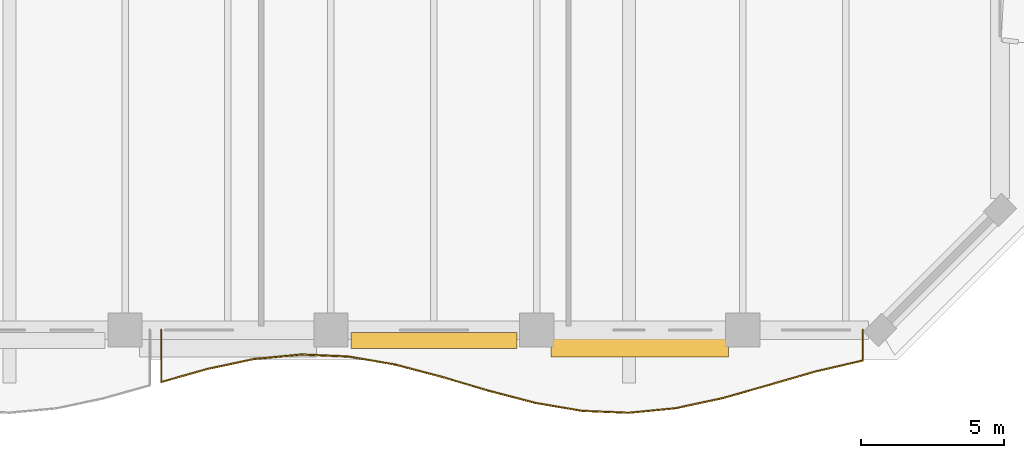
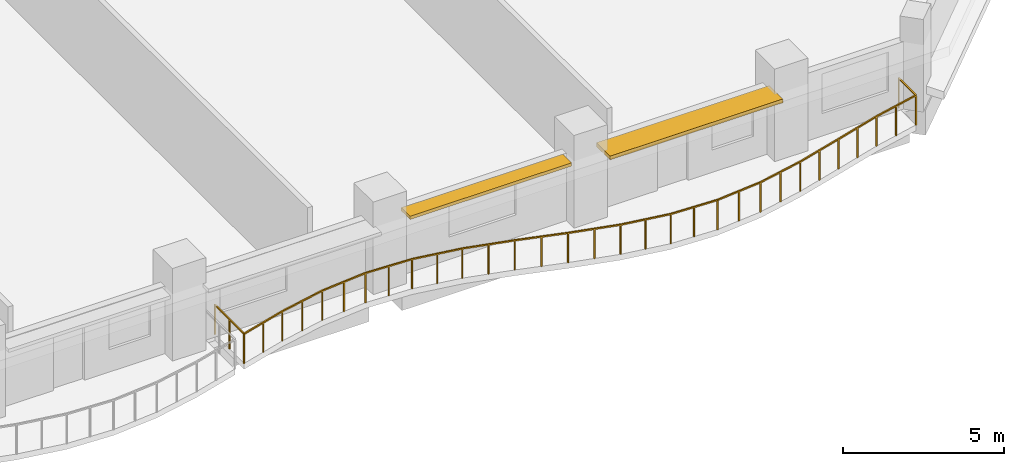
# One storey, part 14 of 15: 2 shading devices, 1 railing.
"""IFC4 building model written with IfcOpenShell, lengths in metres."""

from ifc_helpers import new_model, si_unit, direction, frame, origin, origin_2d, place, context, subcontext, project, spatial, rectangle, extrude, material, layer, layer_set, type_object, element, save


model = new_model("IFC4")

# Units and contexts
model_context = context("Model", 3, precision=1e-05, world=origin(), true_north=direction((0.0, 1.0)))
body_context = subcontext(model_context, "Body", "Model", "MODEL_VIEW")
ifc_project = project(units=[si_unit("LENGTHUNIT", "METRE"), si_unit("AREAUNIT", "SQUARE_METRE"), si_unit("VOLUMEUNIT", "CUBIC_METRE"), si_unit("PLANEANGLEUNIT", "RADIAN"), si_unit("MASSUNIT", "GRAM", prefix="KILO")], contexts=[model_context])

# Site, building, storey
site_placement = place(None, origin())
site = spatial("IfcSite", under=ifc_project, at=site_placement, CompositionType="ELEMENT")
building_placement = place(site_placement, origin())
building = spatial("IfcBuilding", under=site, at=building_placement, Name="Kaelvorn Grand Hotel", CompositionType="ELEMENT")
storey_placement = place(building_placement, frame((0.0, 0.0, 104.300048828125)))
storey = spatial("IfcBuildingStorey", under=building, at=storey_placement, Name="L24", CompositionType="ELEMENT", Elevation=104.300048828125)

# Railing
ifc_material_1 = material(Name="Stainless Steel", Category="steel")
railing_type = type_object("IfcRailingType", Name="RL-BALC-1150", PredefinedType="BALUSTRADE", material=ifc_material_1)
railing_placement = place(storey_placement, frame((54.666748046875, 0.0, 0.0)))
element("IfcRailing", 1, at=railing_placement, inside=storey, type_object=railing_type, Name="L24 Scalloped Wave Balcony Balustrade GR1-3", PredefinedType="BALUSTRADE", context=body_context, shape_type="SweptSolid", body=[
    extrude(rectangle(XDim=0.048095703125, YDim=0.048095703125, at=origin_2d()), frame((0.0, 0.0, 1.1259765625), z_axis=(0.0, -1.0, 0.0), x_axis=(1.0, 0.0, 0.0)), (0.0, 0.0, 1.0), 1.8193359375),
    extrude(rectangle(XDim=0.048095703125, YDim=0.048095703125, at=origin_2d()), frame((0.0, -1.8193359375, 1.1259765625), z_axis=(0.962241545122, 0.272197003733, 0.0), x_axis=(-0.272197003733, 0.962241545122, 0.0)), (0.0, 0.0, 1.0), 1.69970703125),
    extrude(rectangle(XDim=0.048095703125, YDim=0.048095703125, at=origin_2d()), frame((1.635498046875, -1.356689453125, 1.1259765625), z_axis=(0.978174805455, 0.207783661466, 0.0), x_axis=(-0.207783661466, 0.978174805455, 0.0)), (0.0, 0.0, 1.0), 1.671875),
    extrude(rectangle(XDim=0.048095703125, YDim=0.048095703125, at=origin_2d()), frame((3.27099609375, -1.00927734375, 1.1259765625), z_axis=(0.995523480824, 0.09451454453, 0.0), x_axis=(-0.09451454453, 0.995523480824, 0.0)), (0.0, 0.0, 1.0), 1.642822265625),
    extrude(rectangle(XDim=0.048095703125, YDim=0.048095703125, at=origin_2d()), frame((4.906494140625, -0.85400390625, 1.1259765625), z_axis=(0.999045154146, -0.043689586592, 0.0), x_axis=(0.043689586592, 0.999045154146, 0.0)), (0.0, 0.0, 1.0), 1.63720703125),
    extrude(rectangle(XDim=0.048095703125, YDim=0.048095703125, at=origin_2d()), frame((6.542236328125, -0.925537109375, 1.1259765625), z_axis=(0.985410815118, -0.170192612792, 0.0), x_axis=(0.170192612792, 0.985410815118, 0.0)), (0.0, 0.0, 1.0), 1.65966796875),
    extrude(rectangle(XDim=0.048095703125, YDim=0.048095703125, at=origin_2d()), frame((8.177734375, -1.2080078125, 1.1259765625), z_axis=(0.967035258154, -0.254642513119, 0.0), x_axis=(0.254642513119, 0.967035258154, 0.0)), (0.0, 0.0, 1.0), 1.691162109375),
    extrude(rectangle(XDim=0.048095703125, YDim=0.048095703125, at=origin_2d()), frame((9.813232421875, -1.638671875, 1.1259765625), z_axis=(0.959066322629, -0.283181547419, 0.0), x_axis=(0.283181547419, 0.959066322629, 0.0)), (0.0, 0.0, 1.0), 1.705322265625),
    extrude(rectangle(XDim=0.048095703125, YDim=0.048095703125, at=origin_2d()), frame((11.44873046875, -2.12158203125, 1.1259765625), z_axis=(0.967363797332, -0.253391561839, 0.0), x_axis=(0.253391561839, 0.967363797332, 0.0)), (0.0, 0.0, 1.0), 1.69091796875),
    extrude(rectangle(XDim=0.048095703125, YDim=0.048095703125, at=origin_2d()), frame((13.08447265625, -2.550048828125, 1.1259765625), z_axis=(0.985827384416, -0.167762832995, 0.0), x_axis=(0.167762832995, 0.985827384416, 0.0)), (0.0, 0.0, 1.0), 1.658935546875),
    extrude(rectangle(XDim=0.048095703125, YDim=0.048095703125, at=origin_2d()), frame((14.719970703125, -2.828369140625, 1.1259765625), z_axis=(0.9991706558, -0.040718553371, 0.0), x_axis=(0.040718553371, 0.9991706558, 0.0)), (0.0, 0.0, 1.0), 1.636962890625),
    extrude(rectangle(XDim=0.048095703125, YDim=0.048095703125, at=origin_2d()), frame((16.35546875, -2.89501953125, 1.1259765625), z_axis=(0.995253950263, 0.097311738681, 0.0), x_axis=(-0.097311738681, 0.995253950263, 0.0)), (0.0, 0.0, 1.0), 1.643310546875),
    extrude(rectangle(XDim=0.048095703125, YDim=0.048095703125, at=origin_2d()), frame((17.990966796875, -2.735107421875, 1.1259765625), z_axis=(0.977727596313, 0.209877934542, 0.0), x_axis=(-0.209877934542, 0.977727596313, 0.0)), (0.0, 0.0, 1.0), 1.6728515625),
    extrude(rectangle(XDim=0.048095703125, YDim=0.048095703125, at=origin_2d()), frame((19.62646484375, -2.384033203125, 1.1259765625), z_axis=(0.962026235743, 0.272956996141, 0.0), x_axis=(-0.272956996141, 0.962026235743, 0.0)), (0.0, 0.0, 1.0), 1.7001953125),
    extrude(rectangle(XDim=0.048095703125, YDim=0.048095703125, at=origin_2d()), frame((21.26220703125, -1.919921875, 1.1259765625), z_axis=(0.960494697942, 0.278298284625, 0.0), x_axis=(-0.278298284625, 0.960494697942, 0.0)), (0.0, 0.0, 1.0), 1.702880859375),
    extrude(rectangle(XDim=0.048095703125, YDim=0.048095703125, at=origin_2d()), frame((22.897705078125, -1.446044921875, 1.1259765625), z_axis=(0.974229174149, 0.225560449187, 0.0), x_axis=(-0.225560449187, 0.974229174149, 0.0)), (0.0, 0.0, 1.0), 1.6787109375),
    extrude(rectangle(XDim=0.048095703125, YDim=0.048095703125, at=origin_2d()), frame((24.533203125, -1.0673828125, 1.1259765625), z_axis=(0.0, 1.0, 0.0), x_axis=(-1.0, 0.0, 0.0)), (0.0, 0.0, 1.0), 1.0673828125),
    extrude(rectangle(XDim=0.0419921875, YDim=0.0419921875, at=origin_2d()), origin(), (0.0, 0.0, 1.0), 1.101806640625),
    extrude(rectangle(XDim=0.0419921875, YDim=0.0419921875, at=origin_2d()), frame((0.0, -0.90966796875, 0.0)), (0.0, 0.0, 1.0), 1.101806640625),
    extrude(rectangle(XDim=0.0419921875, YDim=0.0419921875, at=origin_2d()), frame((0.0, -1.8193359375, 0.0)), (0.0, 0.0, 1.0), 1.101806640625),
    extrude(rectangle(XDim=0.0419921875, YDim=0.0419921875, at=origin_2d()), frame((0.81787109375, -1.587890625, 0.0)), (0.0, 0.0, 1.0), 1.101806640625),
    extrude(rectangle(XDim=0.0419921875, YDim=0.0419921875, at=origin_2d()), frame((1.635498046875, -1.356689453125, 0.0)), (0.0, 0.0, 1.0), 1.101806640625),
    extrude(rectangle(XDim=0.0419921875, YDim=0.0419921875, at=origin_2d()), frame((2.453125, -1.18310546875, 0.0)), (0.0, 0.0, 1.0), 1.101806640625),
    extrude(rectangle(XDim=0.0419921875, YDim=0.0419921875, at=origin_2d()), frame((3.27099609375, -1.00927734375, 0.0)), (0.0, 0.0, 1.0), 1.101806640625),
    extrude(rectangle(XDim=0.0419921875, YDim=0.0419921875, at=origin_2d()), frame((4.0888671875, -0.931640625, 0.0)), (0.0, 0.0, 1.0), 1.101806640625),
    extrude(rectangle(XDim=0.0419921875, YDim=0.0419921875, at=origin_2d()), frame((4.906494140625, -0.85400390625, 0.0)), (0.0, 0.0, 1.0), 1.101806640625),
    extrude(rectangle(XDim=0.0419921875, YDim=0.0419921875, at=origin_2d()), frame((5.724365234375, -0.8896484375, 0.0)), (0.0, 0.0, 1.0), 1.101806640625),
    extrude(rectangle(XDim=0.0419921875, YDim=0.0419921875, at=origin_2d()), frame((6.542236328125, -0.925537109375, 0.0)), (0.0, 0.0, 1.0), 1.101806640625),
    extrude(rectangle(XDim=0.0419921875, YDim=0.0419921875, at=origin_2d()), frame((7.35986328125, -1.06689453125, 0.0)), (0.0, 0.0, 1.0), 1.101806640625),
    extrude(rectangle(XDim=0.0419921875, YDim=0.0419921875, at=origin_2d()), frame((8.177734375, -1.2080078125, 0.0)), (0.0, 0.0, 1.0), 1.101806640625),
    extrude(rectangle(XDim=0.0419921875, YDim=0.0419921875, at=origin_2d()), frame((8.99560546875, -1.42333984375, 0.0)), (0.0, 0.0, 1.0), 1.101806640625),
    extrude(rectangle(XDim=0.0419921875, YDim=0.0419921875, at=origin_2d()), frame((9.813232421875, -1.638671875, 0.0)), (0.0, 0.0, 1.0), 1.101806640625),
    extrude(rectangle(XDim=0.0419921875, YDim=0.0419921875, at=origin_2d()), frame((10.630859375, -1.880126953125, 0.0)), (0.0, 0.0, 1.0), 1.101806640625),
    extrude(rectangle(XDim=0.0419921875, YDim=0.0419921875, at=origin_2d()), frame((11.44873046875, -2.12158203125, 0.0)), (0.0, 0.0, 1.0), 1.101806640625),
    extrude(rectangle(XDim=0.0419921875, YDim=0.0419921875, at=origin_2d()), frame((12.2666015625, -2.3359375, 0.0)), (0.0, 0.0, 1.0), 1.101806640625),
    extrude(rectangle(XDim=0.0419921875, YDim=0.0419921875, at=origin_2d()), frame((13.08447265625, -2.550048828125, 0.0)), (0.0, 0.0, 1.0), 1.101806640625),
    extrude(rectangle(XDim=0.0419921875, YDim=0.0419921875, at=origin_2d()), frame((13.90234375, -2.689208984375, 0.0)), (0.0, 0.0, 1.0), 1.101806640625),
    extrude(rectangle(XDim=0.0419921875, YDim=0.0419921875, at=origin_2d()), frame((14.719970703125, -2.828369140625, 0.0)), (0.0, 0.0, 1.0), 1.101806640625),
    extrude(rectangle(XDim=0.0419921875, YDim=0.0419921875, at=origin_2d()), frame((15.53759765625, -2.86181640625, 0.0)), (0.0, 0.0, 1.0), 1.101806640625),
    extrude(rectangle(XDim=0.0419921875, YDim=0.0419921875, at=origin_2d()), frame((16.35546875, -2.89501953125, 0.0)), (0.0, 0.0, 1.0), 1.101806640625),
    extrude(rectangle(XDim=0.0419921875, YDim=0.0419921875, at=origin_2d()), frame((17.17333984375, -2.81494140625, 0.0)), (0.0, 0.0, 1.0), 1.101806640625),
    extrude(rectangle(XDim=0.0419921875, YDim=0.0419921875, at=origin_2d()), frame((17.990966796875, -2.735107421875, 0.0)), (0.0, 0.0, 1.0), 1.101806640625),
    extrude(rectangle(XDim=0.0419921875, YDim=0.0419921875, at=origin_2d()), frame((18.80859375, -2.5595703125, 0.0)), (0.0, 0.0, 1.0), 1.101806640625),
    extrude(rectangle(XDim=0.0419921875, YDim=0.0419921875, at=origin_2d()), frame((19.62646484375, -2.384033203125, 0.0)), (0.0, 0.0, 1.0), 1.101806640625),
    extrude(rectangle(XDim=0.0419921875, YDim=0.0419921875, at=origin_2d()), frame((20.4443359375, -2.15185546875, 0.0)), (0.0, 0.0, 1.0), 1.101806640625),
    extrude(rectangle(XDim=0.0419921875, YDim=0.0419921875, at=origin_2d()), frame((21.26220703125, -1.919921875, 0.0)), (0.0, 0.0, 1.0), 1.101806640625),
    extrude(rectangle(XDim=0.0419921875, YDim=0.0419921875, at=origin_2d()), frame((22.080078125, -1.68310546875, 0.0)), (0.0, 0.0, 1.0), 1.101806640625),
    extrude(rectangle(XDim=0.0419921875, YDim=0.0419921875, at=origin_2d()), frame((22.897705078125, -1.446044921875, 0.0)), (0.0, 0.0, 1.0), 1.101806640625),
    extrude(rectangle(XDim=0.0419921875, YDim=0.0419921875, at=origin_2d()), frame((23.71533203125, -1.2568359375, 0.0)), (0.0, 0.0, 1.0), 1.101806640625),
    extrude(rectangle(XDim=0.0419921875, YDim=0.0419921875, at=origin_2d()), frame((24.533203125, -1.0673828125, 0.0)), (0.0, 0.0, 1.0), 1.101806640625),
    extrude(rectangle(XDim=0.0419921875, YDim=0.0419921875, at=origin_2d()), frame((24.533203125, 0.0, 0.0)), (0.0, 0.0, 1.0), 1.101806640625),
])

# Shading devices
ifc_material_2 = material(Name="Precast concrete C45/55", Category="concrete")
ifc_layer_1 = layer(ifc_material_2, 0.1201171875)
ifc_layer_set_1 = layer_set([ifc_layer_1], Name="Precast concrete C45/55")
shading_device_type_1 = type_object("IfcShadingDeviceType", Name="SHD-SUNSHADE-550", PredefinedType="USERDEFINED", material=ifc_layer_set_1)
shading_device_1_placement = place(storey_placement, frame((64.199951171875, -0.364990234375, 2.419921875), z_axis=(0.0, 0.0, 1.0), x_axis=(1.0, 0.0, 0.0)))
element("IfcShadingDevice", 2, at=shading_device_1_placement, inside=storey, type_object=shading_device_type_1, Name="L24 Horizontal Concrete Sunshade Band SS-09", ObjectType="SUNSHADE", PredefinedType="USERDEFINED", context=body_context, shape_type="SweptSolid", body=[
    extrude(rectangle(XDim=5.800048828125, YDim=0.550048828125, at=origin_2d()), origin(), (0.0, 0.0, 1.0), 0.1201171875),
])
ifc_layer_2 = layer(ifc_material_2, 0.139892578125)
ifc_layer_set_2 = layer_set([ifc_layer_2], Name="Precast concrete C45/55")
shading_device_type_2 = type_object("IfcShadingDeviceType", Name="SHD-SUNSHADE-850", PredefinedType="USERDEFINED", material=ifc_layer_set_2)
shading_device_2_placement = place(storey_placement, frame((71.39990234375, -0.514892578125, 2.41015625), z_axis=(0.0, 0.0, 1.0), x_axis=(1.0, 0.0, 0.0)))
element("IfcShadingDevice", 3, at=shading_device_2_placement, inside=storey, type_object=shading_device_type_2, Name="L24 Horizontal Concrete Sunshade Band SS-10", ObjectType="SUNSHADE", PredefinedType="USERDEFINED", context=body_context, shape_type="SweptSolid", body=[
    extrude(rectangle(XDim=6.199951171875, YDim=0.85009765625, at=origin_2d()), origin(), (0.0, 0.0, 1.0), 0.139892578125),
])

save(model, "model.ifc")
